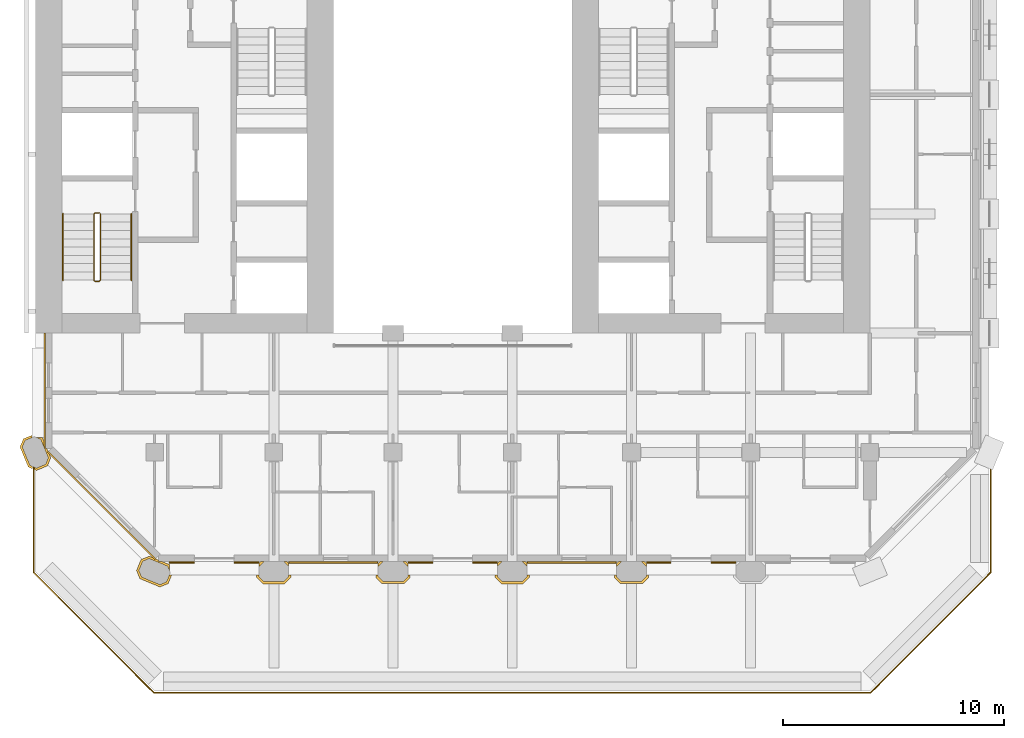
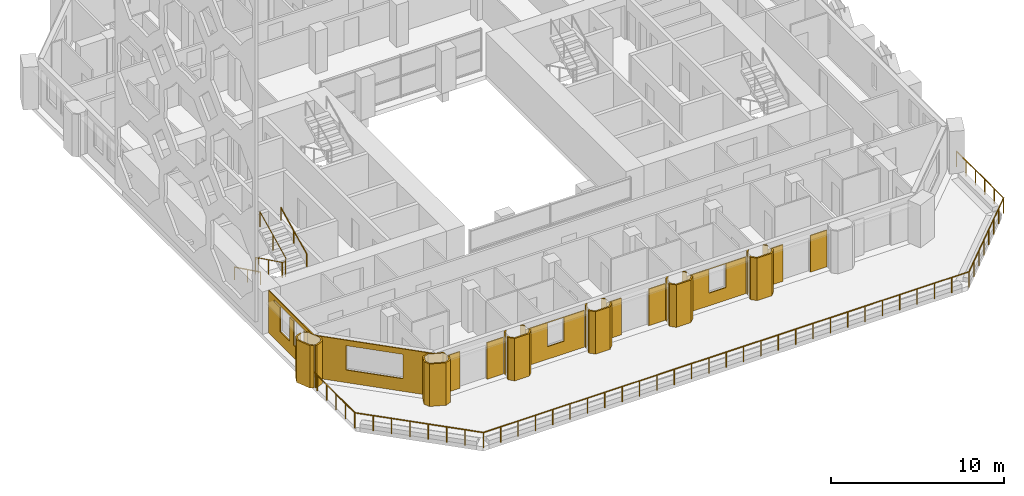
# One storey, part 15 of 17: 25 coverings, 4 railings.
"""IFC4 building model written with IfcOpenShell, lengths in metres."""

from ifc_helpers import new_model, si_unit, direction, frame, frame_2d, origin, origin_2d, place, context, subcontext, project, spatial, polyline, rectangle, circle, outline, extrude, material, layer, layer_set, type_object, element, save


model = new_model("IFC4")

# Units and contexts
model_context = context("Model", 3, precision=1e-05, world=origin(), true_north=direction((0.0, 1.0)))
body_context = subcontext(model_context, "Body", "Model", "MODEL_VIEW")
ifc_project = project(units=[si_unit("LENGTHUNIT", "METRE"), si_unit("AREAUNIT", "SQUARE_METRE"), si_unit("VOLUMEUNIT", "CUBIC_METRE"), si_unit("PLANEANGLEUNIT", "RADIAN"), si_unit("MASSUNIT", "GRAM", prefix="KILO")], contexts=[model_context])

# Site, building, storey
site_placement = place(None, origin())
site = spatial("IfcSite", under=ifc_project, at=site_placement, CompositionType="ELEMENT")
building_placement = place(site_placement, origin())
building = spatial("IfcBuilding", under=site, at=building_placement, Name="Tabaq Tower and Sports Hall", CompositionType="ELEMENT")
storey_placement = place(building_placement, frame((0.0, 0.0, 180.699951171875)))
storey = spatial("IfcBuildingStorey", under=building, at=storey_placement, Name="L43", CompositionType="ELEMENT", Elevation=180.699951171875)

# Coverings
ifc_material_1 = material(Name="Precast concrete C60/75", Category="concrete")
ifc_layer_1 = layer(ifc_material_1, 0.10009765625)
ifc_layer_set_1 = layer_set([ifc_layer_1], Name="Column cladding 100")
covering_type_1 = type_object("IfcCoveringType", Name="Column cladding 100", PredefinedType="CLADDING", material=ifc_layer_set_1)
covering_1_placement = place(storey_placement, origin())
element("IfcCovering", 1, at=covering_1_placement, inside=storey, type_object=covering_type_1, Name="Column cladding L43 PC-2C-H2", PredefinedType="CLADDING", context=body_context, shape_type="SweptSolid", body=[
    extrude(outline(polyline([(5.080078125, 10.1357421875), (4.7041015625, 11.04345703125), (4.857421875, 11.413818359375), (5.249755859375, 11.576171875), (5.249755859375, 11.474609375), (5.26416015625, 11.474609375), (4.93359375, 11.337646484375), (4.811767578125, 11.04345703125), (5.15625, 10.2119140625), (5.27978515625, 10.16064453125), (5.27978515625, 10.052978515625), (5.080078125, 10.1357421875)])), origin(), (0.0, 0.0, 1.0), 3.0),
])
covering_2_placement = place(storey_placement, origin())
element("IfcCovering", 2, at=covering_2_placement, inside=storey, type_object=covering_type_1, Name="Column cladding L43 PC-2C-H2 2", PredefinedType="CLADDING", context=body_context, shape_type="SweptSolid", body=[
    extrude(outline(polyline([(5.450439453125, 9.982421875), (5.3603515625, 10.019775390625), (5.3603515625, 10.127197265625), (5.450439453125, 10.08984375), (5.866455078125, 10.26220703125), (5.98828125, 10.556396484375), (5.643798828125, 11.38818359375), (5.434814453125, 11.474609375), (5.694580078125, 11.474609375), (5.7197265625, 11.46435546875), (5.789794921875, 11.295654296875), (5.789794921875, 11.04296875), (5.849609375, 11.04296875), (5.849609375, 10.986083984375), (5.91796875, 10.986083984375), (5.9814453125, 10.83251953125), (5.9501953125, 10.801025390625), (6.026123046875, 10.72509765625), (6.095947265625, 10.556396484375), (5.9423828125, 10.186279296875), (5.450439453125, 9.982421875)])), origin(), (0.0, 0.0, 1.0), 3.0),
])
covering_3_placement = place(storey_placement, origin())
element("IfcCovering", 3, at=covering_3_placement, inside=storey, type_object=covering_type_1, Name="Column cladding L43 PC-3B-H2", PredefinedType="CLADDING", context=body_context, shape_type="SweptSolid", body=[
    extrude(outline(polyline([(11.413818359375, 4.857421875), (11.04345703125, 4.7041015625), (10.1357421875, 5.080078125), (9.982421875, 5.450439453125), (10.186279296875, 5.9423828125), (10.556396484375, 6.095947265625), (10.72509765625, 6.026123046875), (10.801025390625, 5.9501953125), (10.83251953125, 5.9814453125), (10.986083984375, 5.91796875), (10.986083984375, 5.849609375), (11.15087890625, 5.849609375), (11.46435546875, 5.7197265625), (11.474609375, 5.694580078125), (11.474609375, 5.434814453125), (11.38818359375, 5.643798828125), (10.556396484375, 5.98828125), (10.26220703125, 5.866455078125), (10.08984375, 5.450439453125), (10.2119140625, 5.15625), (11.04345703125, 4.811767578125), (11.337646484375, 4.93359375), (11.474609375, 5.26416015625), (11.474609375, 5.249755859375), (11.576171875, 5.249755859375), (11.413818359375, 4.857421875)])), origin(), (0.0, 0.0, 1.0), 3.0),
])
covering_4_placement = place(storey_placement, origin())
element("IfcCovering", 4, at=covering_4_placement, inside=storey, type_object=covering_type_1, Name="Column cladding L43 PC-4B-H2", PredefinedType="CLADDING", context=body_context, shape_type="SweptSolid", body=[
    extrude(outline(polyline([(15.42529296875, 5.249755859375), (15.524658203125, 5.249755859375), (15.524658203125, 5.1748046875), (15.749755859375, 4.94970703125), (16.650146484375, 4.94970703125), (16.875244140625, 5.1748046875), (16.875244140625, 5.249755859375), (16.974609375, 5.249755859375), (16.974609375, 5.1337890625), (16.69140625, 4.850341796875), (15.708740234375, 4.850341796875), (15.42529296875, 5.1337890625), (15.42529296875, 5.249755859375)])), origin(), (0.0, 0.0, 1.0), 3.0),
])
covering_5_placement = place(storey_placement, origin())
element("IfcCovering", 5, at=covering_5_placement, inside=storey, type_object=covering_type_1, Name="Column cladding L43 PC-4B-H2 2", PredefinedType="CLADDING", context=body_context, shape_type="SweptSolid", body=[
    extrude(outline(polyline([(16.874755859375, 5.766357421875), (16.874755859375, 5.625732421875), (16.650634765625, 5.849609375), (16.791259765625, 5.849609375), (16.874755859375, 5.766357421875)])), origin(), (0.0, 0.0, 1.0), 3.0),
])
covering_6_placement = place(storey_placement, origin())
element("IfcCovering", 6, at=covering_6_placement, inside=storey, type_object=covering_type_1, Name="Column cladding L43 PC-4B-H2 3", PredefinedType="CLADDING", context=body_context, shape_type="SweptSolid", body=[
    extrude(outline(polyline([(15.608642578125, 5.849609375), (15.749267578125, 5.849609375), (15.525390625, 5.625732421875), (15.525390625, 5.766357421875), (15.608642578125, 5.849609375)])), origin(), (0.0, 0.0, 1.0), 3.0),
])
covering_7_placement = place(storey_placement, origin())
element("IfcCovering", 7, at=covering_7_placement, inside=storey, type_object=covering_type_1, Name="Column cladding L43 PC-5B-H2", PredefinedType="CLADDING", context=body_context, shape_type="SweptSolid", body=[
    extrude(outline(polyline([(20.82568359375, 5.24951171875), (20.92431640625, 5.24951171875), (20.92431640625, 5.1748046875), (21.149658203125, 4.949462890625), (22.05029296875, 4.949462890625), (22.275634765625, 5.1748046875), (22.275634765625, 5.24951171875), (22.37451171875, 5.24951171875), (22.37451171875, 5.1337890625), (22.091064453125, 4.8505859375), (21.10888671875, 4.8505859375), (20.82568359375, 5.1337890625), (20.82568359375, 5.24951171875)])), origin(), (0.0, 0.0, 1.0), 3.0),
])
covering_8_placement = place(storey_placement, origin())
element("IfcCovering", 8, at=covering_8_placement, inside=storey, type_object=covering_type_1, Name="Column cladding L43 PC-5B-H2 2", PredefinedType="CLADDING", context=body_context, shape_type="SweptSolid", body=[
    extrude(outline(polyline([(22.274658203125, 5.766357421875), (22.274658203125, 5.625732421875), (22.05078125, 5.849609375), (22.19140625, 5.849609375), (22.274658203125, 5.766357421875)])), origin(), (0.0, 0.0, 1.0), 3.0),
])
covering_9_placement = place(storey_placement, origin())
element("IfcCovering", 9, at=covering_9_placement, inside=storey, type_object=covering_type_1, Name="Column cladding L43 PC-5B-H2 3", PredefinedType="CLADDING", context=body_context, shape_type="SweptSolid", body=[
    extrude(outline(polyline([(20.925537109375, 5.62646484375), (20.925537109375, 5.76611328125), (21.0087890625, 5.849365234375), (21.1484375, 5.849365234375), (20.925537109375, 5.62646484375)])), origin(), (0.0, 0.0, 1.0), 3.0),
])
covering_10_placement = place(storey_placement, origin())
element("IfcCovering", 10, at=covering_10_placement, inside=storey, type_object=covering_type_1, Name="Column cladding L43 PC-6B-H2", PredefinedType="CLADDING", context=body_context, shape_type="SweptSolid", body=[
    extrude(outline(polyline([(26.225341796875, 5.249755859375), (26.32470703125, 5.249755859375), (26.32470703125, 5.1748046875), (26.5498046875, 4.94970703125), (27.4501953125, 4.94970703125), (27.67529296875, 5.1748046875), (27.67529296875, 5.249755859375), (27.774658203125, 5.249755859375), (27.774658203125, 5.1337890625), (27.4912109375, 4.850341796875), (26.5087890625, 4.850341796875), (26.225341796875, 5.1337890625), (26.225341796875, 5.249755859375)])), origin(), (0.0, 0.0, 1.0), 3.0),
])
covering_11_placement = place(storey_placement, origin())
element("IfcCovering", 11, at=covering_11_placement, inside=storey, type_object=covering_type_1, Name="Column cladding L43 PC-6B-H2 2", PredefinedType="CLADDING", context=body_context, shape_type="SweptSolid", body=[
    extrude(outline(polyline([(26.40869140625, 5.849609375), (26.54931640625, 5.849609375), (26.3251953125, 5.625732421875), (26.3251953125, 5.766357421875), (26.40869140625, 5.849609375)])), origin(), (0.0, 0.0, 1.0), 3.0),
])
covering_12_placement = place(storey_placement, origin())
element("IfcCovering", 12, at=covering_12_placement, inside=storey, type_object=covering_type_1, Name="Column cladding L43 PC-6B-H2 3", PredefinedType="CLADDING", context=body_context, shape_type="SweptSolid", body=[
    extrude(outline(polyline([(27.6748046875, 5.766357421875), (27.6748046875, 5.625732421875), (27.45068359375, 5.849609375), (27.59130859375, 5.849609375), (27.6748046875, 5.766357421875)])), origin(), (0.0, 0.0, 1.0), 3.0),
])
covering_13_placement = place(storey_placement, origin())
element("IfcCovering", 13, at=covering_13_placement, inside=storey, type_object=covering_type_1, Name="Column cladding L43 PC-7B-H2", PredefinedType="CLADDING", context=body_context, shape_type="SweptSolid", body=[
    extrude(outline(polyline([(31.62548828125, 5.24951171875), (31.724365234375, 5.24951171875), (31.724365234375, 5.1748046875), (31.94970703125, 4.949462890625), (32.850341796875, 4.949462890625), (33.07568359375, 5.1748046875), (33.07568359375, 5.24951171875), (33.17431640625, 5.24951171875), (33.17431640625, 5.1337890625), (32.89111328125, 4.8505859375), (31.908935546875, 4.8505859375), (31.62548828125, 5.1337890625), (31.62548828125, 5.24951171875)])), origin(), (0.0, 0.0, 1.0), 3.0),
])
covering_14_placement = place(storey_placement, origin())
element("IfcCovering", 14, at=covering_14_placement, inside=storey, type_object=covering_type_1, Name="Column cladding L43 PC-7B-H2 2", PredefinedType="CLADDING", context=body_context, shape_type="SweptSolid", body=[
    extrude(outline(polyline([(31.80859375, 5.849609375), (31.94921875, 5.849609375), (31.725341796875, 5.625732421875), (31.725341796875, 5.766357421875), (31.80859375, 5.849609375)])), origin(), (0.0, 0.0, 1.0), 3.0),
])
covering_15_placement = place(storey_placement, origin())
element("IfcCovering", 15, at=covering_15_placement, inside=storey, type_object=covering_type_1, Name="Column cladding L43 PC-7B-H2 3", PredefinedType="CLADDING", context=body_context, shape_type="SweptSolid", body=[
    extrude(outline(polyline([(33.074462890625, 5.62646484375), (32.8515625, 5.849365234375), (32.9912109375, 5.849365234375), (33.074462890625, 5.76611328125), (33.074462890625, 5.62646484375)])), origin(), (0.0, 0.0, 1.0), 3.0),
])

# Railings
ifc_material_2 = material(Name="Stainless steel S316 and laminated glass", Category="steel")
railing_type_1 = type_object("IfcRailingType", Name="Guard 1100 steel and glass", PredefinedType="GUARDRAIL", material=ifc_material_2)
railing_1_placement = place(storey_placement, frame((48.679931640625, 10.800048828125, 0.0)))
element("IfcRailing", 16, at=railing_1_placement, inside=storey, type_object=railing_type_1, Name="Terrace guard L43", PredefinedType="GUARDRAIL", context=body_context, shape_type="SweptSolid", body=[
    extrude(circle(Radius=0.02490234375, at=origin_2d()), frame((0.0, 0.0, 1.0751953125), z_axis=(0.0, -1.0, 0.0), x_axis=(1.0, 0.0, 0.0)), (0.0, 0.0, 1.0), 5.43310546875),
    extrude(circle(Radius=0.02490234375, at=origin_2d()), frame((0.0, -5.43310546875, 1.0751953125), z_axis=(-0.707090934058, -0.70712262796, 0.0), x_axis=(0.70712262796, -0.707090934058, 0.0)), (0.0, 0.0, 1.0), 7.703125),
    extrude(circle(Radius=0.02490234375, at=origin_2d()), frame((-5.44677734375, -10.880126953125, 1.0751953125), z_axis=(-1.0, 0.0, 0.0), x_axis=(0.0, -1.0, 0.0)), (0.0, 0.0, 1.0), 32.46630859375),
    extrude(circle(Radius=0.02490234375, at=origin_2d()), frame((-37.9130859375, -10.880126953125, 1.0751953125), z_axis=(-0.707090934058, 0.70712262796, 0.0), x_axis=(-0.70712262796, -0.707090934058, 0.0)), (0.0, 0.0, 1.0), 7.703125),
    extrude(circle(Radius=0.02490234375, at=origin_2d()), frame((-43.35986328125, -5.43310546875, 1.0751953125), z_axis=(0.0, 1.0, 0.0), x_axis=(-1.0, 0.0, 0.0)), (0.0, 0.0, 1.0), 5.43310546875),
    extrude(circle(Radius=0.02001953125, at=origin_2d()), origin(), (0.0, 0.0, 1.0), 1.050048828125),
    extrude(circle(Radius=0.02001953125, at=origin_2d()), frame((0.0, -1.086669921875, 0.0)), (0.0, 0.0, 1.0), 1.050048828125),
    extrude(circle(Radius=0.02001953125, at=origin_2d()), frame((0.0, -2.17333984375, 0.0)), (0.0, 0.0, 1.0), 1.050048828125),
    extrude(circle(Radius=0.02001953125, at=origin_2d()), frame((0.0, -3.259765625, 0.0)), (0.0, 0.0, 1.0), 1.050048828125),
    extrude(circle(Radius=0.02001953125, at=origin_2d()), frame((0.0, -4.346435546875, 0.0)), (0.0, 0.0, 1.0), 1.050048828125),
    extrude(circle(Radius=0.02001953125, at=origin_2d()), frame((0.0, -5.43310546875, 0.0)), (0.0, 0.0, 1.0), 1.050048828125),
    extrude(circle(Radius=0.02001953125, at=origin_2d()), frame((-0.778076171875, -6.211181640625, 0.0)), (0.0, 0.0, 1.0), 1.050048828125),
    extrude(circle(Radius=0.02001953125, at=origin_2d()), frame((-1.55615234375, -6.989501953125, 0.0)), (0.0, 0.0, 1.0), 1.050048828125),
    extrude(circle(Radius=0.02001953125, at=origin_2d()), frame((-2.334228515625, -7.767578125, 0.0)), (0.0, 0.0, 1.0), 1.050048828125),
    extrude(circle(Radius=0.02001953125, at=origin_2d()), frame((-3.112548828125, -8.545654296875, 0.0)), (0.0, 0.0, 1.0), 1.050048828125),
    extrude(circle(Radius=0.02001953125, at=origin_2d()), frame((-3.890625, -9.32373046875, 0.0)), (0.0, 0.0, 1.0), 1.050048828125),
    extrude(circle(Radius=0.02001953125, at=origin_2d()), frame((-4.668701171875, -10.10205078125, 0.0)), (0.0, 0.0, 1.0), 1.050048828125),
    extrude(circle(Radius=0.02001953125, at=origin_2d()), frame((-5.44677734375, -10.880126953125, 0.0)), (0.0, 0.0, 1.0), 1.050048828125),
    extrude(circle(Radius=0.02001953125, at=origin_2d()), frame((-6.606201171875, -10.880126953125, 0.0)), (0.0, 0.0, 1.0), 1.050048828125),
    extrude(circle(Radius=0.02001953125, at=origin_2d()), frame((-7.765869140625, -10.880126953125, 0.0)), (0.0, 0.0, 1.0), 1.050048828125),
    extrude(circle(Radius=0.02001953125, at=origin_2d()), frame((-8.92529296875, -10.880126953125, 0.0)), (0.0, 0.0, 1.0), 1.050048828125),
    extrude(circle(Radius=0.02001953125, at=origin_2d()), frame((-10.084716796875, -10.880126953125, 0.0)), (0.0, 0.0, 1.0), 1.050048828125),
    extrude(circle(Radius=0.02001953125, at=origin_2d()), frame((-11.244384765625, -10.880126953125, 0.0)), (0.0, 0.0, 1.0), 1.050048828125),
    extrude(circle(Radius=0.02001953125, at=origin_2d()), frame((-12.40380859375, -10.880126953125, 0.0)), (0.0, 0.0, 1.0), 1.050048828125),
    extrude(circle(Radius=0.02001953125, at=origin_2d()), frame((-13.5634765625, -10.880126953125, 0.0)), (0.0, 0.0, 1.0), 1.050048828125),
    extrude(circle(Radius=0.02001953125, at=origin_2d()), frame((-14.722900390625, -10.880126953125, 0.0)), (0.0, 0.0, 1.0), 1.050048828125),
    extrude(circle(Radius=0.02001953125, at=origin_2d()), frame((-15.88232421875, -10.880126953125, 0.0)), (0.0, 0.0, 1.0), 1.050048828125),
    extrude(circle(Radius=0.02001953125, at=origin_2d()), frame((-17.0419921875, -10.880126953125, 0.0)), (0.0, 0.0, 1.0), 1.050048828125),
    extrude(circle(Radius=0.02001953125, at=origin_2d()), frame((-18.201416015625, -10.880126953125, 0.0)), (0.0, 0.0, 1.0), 1.050048828125),
    extrude(circle(Radius=0.02001953125, at=origin_2d()), frame((-19.36083984375, -10.880126953125, 0.0)), (0.0, 0.0, 1.0), 1.050048828125),
    extrude(circle(Radius=0.02001953125, at=origin_2d()), frame((-20.5205078125, -10.880126953125, 0.0)), (0.0, 0.0, 1.0), 1.050048828125),
    extrude(circle(Radius=0.02001953125, at=origin_2d()), frame((-21.679931640625, -10.880126953125, 0.0)), (0.0, 0.0, 1.0), 1.050048828125),
    extrude(circle(Radius=0.02001953125, at=origin_2d()), frame((-22.83935546875, -10.880126953125, 0.0)), (0.0, 0.0, 1.0), 1.050048828125),
    extrude(circle(Radius=0.02001953125, at=origin_2d()), frame((-23.9990234375, -10.880126953125, 0.0)), (0.0, 0.0, 1.0), 1.050048828125),
    extrude(circle(Radius=0.02001953125, at=origin_2d()), frame((-25.158447265625, -10.880126953125, 0.0)), (0.0, 0.0, 1.0), 1.050048828125),
    extrude(circle(Radius=0.02001953125, at=origin_2d()), frame((-26.31787109375, -10.880126953125, 0.0)), (0.0, 0.0, 1.0), 1.050048828125),
    extrude(circle(Radius=0.02001953125, at=origin_2d()), frame((-27.4775390625, -10.880126953125, 0.0)), (0.0, 0.0, 1.0), 1.050048828125),
    extrude(circle(Radius=0.02001953125, at=origin_2d()), frame((-28.636962890625, -10.880126953125, 0.0)), (0.0, 0.0, 1.0), 1.050048828125),
    extrude(circle(Radius=0.02001953125, at=origin_2d()), frame((-29.79638671875, -10.880126953125, 0.0)), (0.0, 0.0, 1.0), 1.050048828125),
    extrude(circle(Radius=0.02001953125, at=origin_2d()), frame((-30.9560546875, -10.880126953125, 0.0)), (0.0, 0.0, 1.0), 1.050048828125),
    extrude(circle(Radius=0.02001953125, at=origin_2d()), frame((-32.115478515625, -10.880126953125, 0.0)), (0.0, 0.0, 1.0), 1.050048828125),
    extrude(circle(Radius=0.02001953125, at=origin_2d()), frame((-33.275146484375, -10.880126953125, 0.0)), (0.0, 0.0, 1.0), 1.050048828125),
    extrude(circle(Radius=0.02001953125, at=origin_2d()), frame((-34.4345703125, -10.880126953125, 0.0)), (0.0, 0.0, 1.0), 1.050048828125),
    extrude(circle(Radius=0.02001953125, at=origin_2d()), frame((-35.593994140625, -10.880126953125, 0.0)), (0.0, 0.0, 1.0), 1.050048828125),
    extrude(circle(Radius=0.02001953125, at=origin_2d()), frame((-36.753662109375, -10.880126953125, 0.0)), (0.0, 0.0, 1.0), 1.050048828125),
    extrude(circle(Radius=0.02001953125, at=origin_2d()), frame((-37.9130859375, -10.880126953125, 0.0)), (0.0, 0.0, 1.0), 1.050048828125),
    extrude(circle(Radius=0.02001953125, at=origin_2d()), frame((-38.691162109375, -10.10205078125, 0.0)), (0.0, 0.0, 1.0), 1.050048828125),
    extrude(circle(Radius=0.02001953125, at=origin_2d()), frame((-39.46923828125, -9.32373046875, 0.0)), (0.0, 0.0, 1.0), 1.050048828125),
    extrude(circle(Radius=0.02001953125, at=origin_2d()), frame((-40.247314453125, -8.545654296875, 0.0)), (0.0, 0.0, 1.0), 1.050048828125),
    extrude(circle(Radius=0.02001953125, at=origin_2d()), frame((-41.025634765625, -7.767578125, 0.0)), (0.0, 0.0, 1.0), 1.050048828125),
    extrude(circle(Radius=0.02001953125, at=origin_2d()), frame((-41.8037109375, -6.989501953125, 0.0)), (0.0, 0.0, 1.0), 1.050048828125),
    extrude(circle(Radius=0.02001953125, at=origin_2d()), frame((-42.581787109375, -6.211181640625, 0.0)), (0.0, 0.0, 1.0), 1.050048828125),
    extrude(circle(Radius=0.02001953125, at=origin_2d()), frame((-43.35986328125, -5.43310546875, 0.0)), (0.0, 0.0, 1.0), 1.050048828125),
    extrude(circle(Radius=0.02001953125, at=origin_2d()), frame((-43.35986328125, -4.346435546875, 0.0)), (0.0, 0.0, 1.0), 1.050048828125),
    extrude(circle(Radius=0.02001953125, at=origin_2d()), frame((-43.35986328125, -3.259765625, 0.0)), (0.0, 0.0, 1.0), 1.050048828125),
    extrude(circle(Radius=0.02001953125, at=origin_2d()), frame((-43.35986328125, -2.17333984375, 0.0)), (0.0, 0.0, 1.0), 1.050048828125),
    extrude(circle(Radius=0.02001953125, at=origin_2d()), frame((-43.35986328125, -1.086669921875, 0.0)), (0.0, 0.0, 1.0), 1.050048828125),
    extrude(circle(Radius=0.02001953125, at=origin_2d()), frame((-43.35986328125, 0.0, 0.0)), (0.0, 0.0, 1.0), 1.050048828125),
])
ifc_material_3 = material(Name="Stainless steel", Category="steel")
railing_type_2 = type_object("IfcRailingType", Name="Stair guard", PredefinedType="GUARDRAIL", material=ifc_material_3)
railing_2_placement = place(storey_placement, frame((8.300048828125, 21.64990234375, 0.0)))
element("IfcRailing", 17, at=railing_2_placement, inside=storey, type_object=railing_type_2, Name="L43 ST1 stair guard 1", PredefinedType="GUARDRAIL", context=body_context, shape_type="SweptSolid", body=[
    extrude(circle(Radius=0.02392578125, at=origin_2d()), frame((0.0, 0.0, 1.076171875), z_axis=(-1.0, 0.0, 0.0), x_axis=(0.0, -1.0, 0.0)), (0.0, 0.0, 1.0), 0.199951171875),
    extrude(circle(Radius=0.02392578125, at=origin_2d()), frame((-0.199951171875, 0.0, 1.076171875), z_axis=(-0.254733673405, -0.25349107012, 0.933195066962), x_axis=(0.705375805398, -0.708833529934, 0.0)), (0.0, 0.0, 1.0), 0.196533203125),
    extrude(circle(Radius=0.02392578125, at=origin_2d()), frame((-0.25, -0.0498046875, 1.25927734375), z_axis=(0.0, -0.898368975038, 0.439241601728), x_axis=(1.0, 0.0, 0.0)), (0.0, 0.0, 1.0), 3.33935546875),
    extrude(circle(Radius=0.02392578125, at=origin_2d()), frame((-0.25, -3.0498046875, 2.72607421875), z_axis=(0.707106781187, -0.707106781187, 0.0), x_axis=(0.707106781187, 0.707106781187, 0.0)), (0.0, 0.0, 1.0), 0.07080078125),
    extrude(circle(Radius=0.02392578125, at=origin_2d()), frame((-0.199951171875, -3.099853515625, 2.72607421875), z_axis=(1.0, 0.0, 0.0), x_axis=(0.0, 1.0, 0.0)), (0.0, 0.0, 1.0), 0.199951171875),
    extrude(circle(Radius=0.02392578125, at=origin_2d()), frame((0.0, -3.099853515625, 2.72607421875), z_axis=(0.254653276557, 0.254653276557, 0.932900539971), x_axis=(-0.707106781187, 0.707106781187, 0.0)), (0.0, 0.0, 1.0), 0.196533203125),
    extrude(circle(Radius=0.02392578125, at=origin_2d()), frame((0.050048828125, -3.0498046875, 2.90966796875), z_axis=(0.0, 0.898397823093, 0.439182594671), x_axis=(-1.0, 0.0, 0.0)), (0.0, 0.0, 1.0), 3.33935546875),
    extrude(circle(Radius=0.02099609375, at=origin_2d()), origin(), (0.0, 0.0, 1.0), 1.052001953125),
    extrude(circle(Radius=0.02099609375, at=origin_2d()), frame((-0.199951171875, 0.0, 0.0)), (0.0, 0.0, 1.0), 1.052001953125),
    extrude(circle(Radius=0.02099609375, at=origin_2d()), frame((-0.25, -0.0498046875, 0.183349609375)), (0.0, 0.0, 1.0), 1.052001953125),
    extrude(circle(Radius=0.02099609375, at=origin_2d()), frame((-0.25, -1.5498046875, 0.916748046875)), (0.0, 0.0, 1.0), 1.052001953125),
    extrude(circle(Radius=0.02099609375, at=origin_2d()), frame((-0.25, -3.0498046875, 1.650146484375)), (0.0, 0.0, 1.0), 1.052001953125),
    extrude(circle(Radius=0.02099609375, at=origin_2d()), frame((-0.199951171875, -3.099853515625, 1.650146484375)), (0.0, 0.0, 1.0), 1.052001953125),
    extrude(circle(Radius=0.02099609375, at=origin_2d()), frame((0.0, -3.099853515625, 1.650146484375)), (0.0, 0.0, 1.0), 1.052001953125),
    extrude(circle(Radius=0.02099609375, at=origin_2d()), frame((0.050048828125, -3.0498046875, 1.83349609375)), (0.0, 0.0, 1.0), 1.052001953125),
    extrude(circle(Radius=0.02099609375, at=origin_2d()), frame((0.050048828125, -1.5498046875, 2.56689453125)), (0.0, 0.0, 1.0), 1.052001953125),
    extrude(circle(Radius=0.02099609375, at=origin_2d()), frame((0.050048828125, -0.0498046875, 3.300048828125)), (0.0, 0.0, 1.0), 1.052001953125),
])
ifc_material_4 = material(Name="Stainless steel", Category="steel")
railing_type_3 = type_object("IfcRailingType", Name="Stair handrail", PredefinedType="HANDRAIL", material=ifc_material_4)
railing_3_placement = place(storey_placement, frame((6.64990234375, 21.60009765625, 0.183349609375)))
element("IfcRailing", 18, at=railing_3_placement, inside=storey, type_object=railing_type_3, Name="L43 ST1 stair handrail 1", PredefinedType="HANDRAIL", context=body_context, shape_type="SweptSolid", body=[
    extrude(circle(Radius=0.02392578125, at=origin_2d()), frame((0.0, 0.0, 0.8759765625), z_axis=(0.0, -0.898368975038, 0.439241601728), x_axis=(1.0, 0.0, 0.0)), (0.0, 0.0, 1.0), 3.33935546875),
    extrude(circle(Radius=0.02099609375, at=origin_2d()), origin(), (0.0, 0.0, 1.0), 0.851806640625),
    extrude(circle(Radius=0.02099609375, at=origin_2d()), frame((0.0, -1.5, 0.7333984375)), (0.0, 0.0, 1.0), 0.851806640625),
    extrude(circle(Radius=0.02099609375, at=origin_2d()), frame((0.0, -3.0, 1.466796875)), (0.0, 0.0, 1.0), 0.851806640625),
])
railing_4_placement = place(storey_placement, frame((9.75, 18.60009765625, 1.83349609375)))
element("IfcRailing", 19, at=railing_4_placement, inside=storey, type_object=railing_type_3, Name="L43 ST1 stair handrail 2", PredefinedType="HANDRAIL", context=body_context, shape_type="SweptSolid", body=[
    extrude(circle(Radius=0.02392578125, at=origin_2d()), frame((0.0, 0.0, 0.8759765625), z_axis=(0.0, 0.898397823093, 0.439182594671), x_axis=(-1.0, 0.0, 0.0)), (0.0, 0.0, 1.0), 3.33935546875),
    extrude(circle(Radius=0.02099609375, at=origin_2d()), origin(), (0.0, 0.0, 1.0), 0.851806640625),
    extrude(circle(Radius=0.02099609375, at=origin_2d()), frame((0.0, 1.5, 0.7333984375)), (0.0, 0.0, 1.0), 0.851806640625),
    extrude(circle(Radius=0.02099609375, at=origin_2d()), frame((0.0, 3.0, 1.466552734375)), (0.0, 0.0, 1.0), 0.851806640625),
])

# Coverings
ifc_material_5 = material(Name="Precast concrete C60/75", Category="concrete")
ifc_layer_2 = layer(ifc_material_5, 0.06005859375)
ifc_layer_set_2 = layer_set([ifc_layer_2], Name="White precast cladding panel 60 C60/75")
covering_type_2 = type_object("IfcCoveringType", Name="White precast cladding panel 60 C60/75", PredefinedType="CLADDING", material=ifc_layer_set_2)
covering_16_placement = place(storey_placement, frame((11.465087890625, 5.820068359375, 0.0), z_axis=(0.0, 0.0, 1.0), x_axis=(1.0, 0.0, 0.0)))
element("IfcCovering", 20, at=covering_16_placement, inside=storey, type_object=covering_type_2, Name="White precast cladding panel L43 wall00", PredefinedType="CLADDING", context=body_context, shape_type="SweptSolid", body=[
    extrude(rectangle(XDim=1.125, YDim=0.06005859375, at=frame_2d((0.5625, 0.0))), origin(), (0.0, 0.0, 1.0), 2.590087890625),
])
covering_17_placement = place(storey_placement, frame((14.409912109375, 5.820068359375, 0.0), z_axis=(0.0, 0.0, 1.0), x_axis=(1.0, 0.0, 0.0)))
element("IfcCovering", 21, at=covering_17_placement, inside=storey, type_object=covering_type_2, Name="White precast cladding panel L43 wall00 2", PredefinedType="CLADDING", context=body_context, shape_type="SweptSolid", body=[
    extrude(rectangle(XDim=1.10498046875, YDim=0.06005859375, at=frame_2d((0.552490234375, 0.0))), origin(), (0.0, 0.0, 1.0), 2.590087890625),
])
covering_18_placement = place(storey_placement, frame((16.885009765625, 5.820068359375, 0.0), z_axis=(0.0, 0.0, 1.0), x_axis=(1.0, 0.0, 0.0)))
element("IfcCovering", 22, at=covering_18_placement, inside=storey, type_object=covering_type_2, Name="White precast cladding panel L43 wall00 3", PredefinedType="CLADDING", context=body_context, shape_type="SweptSolid", body=[
    extrude(outline(polyline([(0.0, 0.0), (4.030029296875, 0.0), (4.030029296875, 2.590087890625), (0.0, 2.590087890625), (0.0, 0.0)]), holes=[polyline([(2.675048828125, 0.89013671875), (1.554931640625, 0.89013671875), (1.554931640625, 2.56005859375), (2.675048828125, 2.56005859375), (2.675048828125, 0.89013671875)])]), frame((0.0, 0.030029296875, 0.0), z_axis=(0.0, -1.0, 0.0), x_axis=(1.0, 0.0, 0.0)), (0.0, 0.0, 1.0), 0.06005859375),
])
for number, where, z_axis, x_axis, name in (
    (23, (22.284912109375, 5.820068359375, 0.0), (0.0, 0.0, 1.0), (1.0, 0.0, 0.0), "White precast cladding panel L43 wall00 4"),
    (24, (25.2099609375, 5.820068359375, 0.0), (0.0, 0.0, 1.0), (1.0, 0.0, 0.0), "White precast cladding panel L43 wall00 5"),
):
    element("IfcCovering", number, at=place(storey_placement, frame(where, z_axis=z_axis, x_axis=x_axis)), inside=storey, type_object=covering_type_2, Name=name, PredefinedType="CLADDING", context=body_context, shape_type="SweptSolid", body=[
        extrude(rectangle(XDim=1.10498046875, YDim=0.06005859375, at=frame_2d((0.552490234375, 0.0))), origin(), (0.0, 0.0, 1.0), 2.590087890625),
    ])
covering_19_placement = place(storey_placement, frame((27.68505859375, 5.820068359375, 0.0), z_axis=(0.0, 0.0, 1.0), x_axis=(1.0, 0.0, 0.0)))
element("IfcCovering", 25, at=covering_19_placement, inside=storey, type_object=covering_type_2, Name="White precast cladding panel L43 wall00 6", PredefinedType="CLADDING", context=body_context, shape_type="SweptSolid", body=[
    extrude(outline(polyline([(0.0, 0.0), (4.030029296875, 0.0), (4.030029296875, 2.590087890625), (0.0, 2.590087890625), (0.0, 0.0)]), holes=[polyline([(2.675048828125, 0.89013671875), (1.554931640625, 0.89013671875), (1.554931640625, 2.56005859375), (2.675048828125, 2.56005859375), (2.675048828125, 0.89013671875)])]), frame((0.0, 0.030029296875, 0.0), z_axis=(0.0, -1.0, 0.0), x_axis=(1.0, 0.0, 0.0)), (0.0, 0.0, 1.0), 0.06005859375),
])
for number, where, z_axis, x_axis, name in (
    (26, (33.0849609375, 5.820068359375, 0.0), (0.0, 0.0, 1.0), (1.0, 0.0, 0.0), "White precast cladding panel L43 wall00 7"),
    (27, (36.010009765625, 5.820068359375, 0.0), (0.0, 0.0, 1.0), (1.0, 0.0, 0.0), "White precast cladding panel L43 wall00 8"),
):
    element("IfcCovering", number, at=place(storey_placement, frame(where, z_axis=z_axis, x_axis=x_axis)), inside=storey, type_object=covering_type_2, Name=name, PredefinedType="CLADDING", context=body_context, shape_type="SweptSolid", body=[
        extrude(rectangle(XDim=1.10498046875, YDim=0.06005859375, at=frame_2d((0.552490234375, 0.0))), origin(), (0.0, 0.0, 1.0), 2.590087890625),
    ])
covering_20_placement = place(storey_placement, frame((5.820068359375, 16.199951171875, 0.0), z_axis=(0.0, 0.0, 1.0), x_axis=(0.0, -1.0, 0.0)))
element("IfcCovering", 28, at=covering_20_placement, inside=storey, type_object=covering_type_2, Name="White precast cladding panel L43 wall06-1", PredefinedType="CLADDING", context=body_context, shape_type="SweptSolid", body=[
    extrude(outline(polyline([(0.0, 0.0), (5.15673828125, 0.0), (5.15673828125, 3.0), (0.0, 3.0), (0.0, 0.0)]), holes=[polyline([(1.340087890625, 2.590087890625), (0.6650390625, 2.590087890625), (0.6650390625, 2.7099609375), (4.735107421875, 2.7099609375), (4.735107421875, 2.590087890625), (4.06005859375, 2.590087890625), (4.06005859375, 0.89013671875), (2.93994140625, 0.89013671875), (2.93994140625, 2.590087890625), (2.4599609375, 2.590087890625), (2.4599609375, 0.89013671875), (1.340087890625, 0.89013671875), (1.340087890625, 2.590087890625)])]), frame((0.0, 0.030029296875, 0.0), z_axis=(0.0, -1.0, 0.0), x_axis=(1.0, 0.0, 0.0)), (0.0, 0.0, 1.0), 0.06005859375),
])
covering_21_placement = place(storey_placement, frame((5.9716796875, 10.822265625, 0.0), z_axis=(0.0, 0.0, 1.0), x_axis=(0.707106781187, -0.707106781187, 0.0)))
element("IfcCovering", 29, at=covering_21_placement, inside=storey, type_object=covering_type_2, Name="White precast cladding panel L43 wall07", PredefinedType="CLADDING", context=body_context, shape_type="SweptSolid", body=[
    extrude(outline(polyline([(0.0, 0.0), (6.85986328125, 0.0), (6.85986328125, 3.0), (0.0, 3.0), (0.0, 0.0)]), holes=[polyline([(1.7197265625, 0.89013671875), (1.7197265625, 2.610107421875), (5.139892578125, 2.610107421875), (5.139892578125, 0.89013671875), (1.7197265625, 0.89013671875)])]), frame((0.0, 0.030029296875, 0.0), z_axis=(0.0, -1.0, 0.0), x_axis=(1.0, 0.0, 0.0)), (0.0, 0.0, 1.0), 0.06005859375),
])

save(model, "model.ifc")
